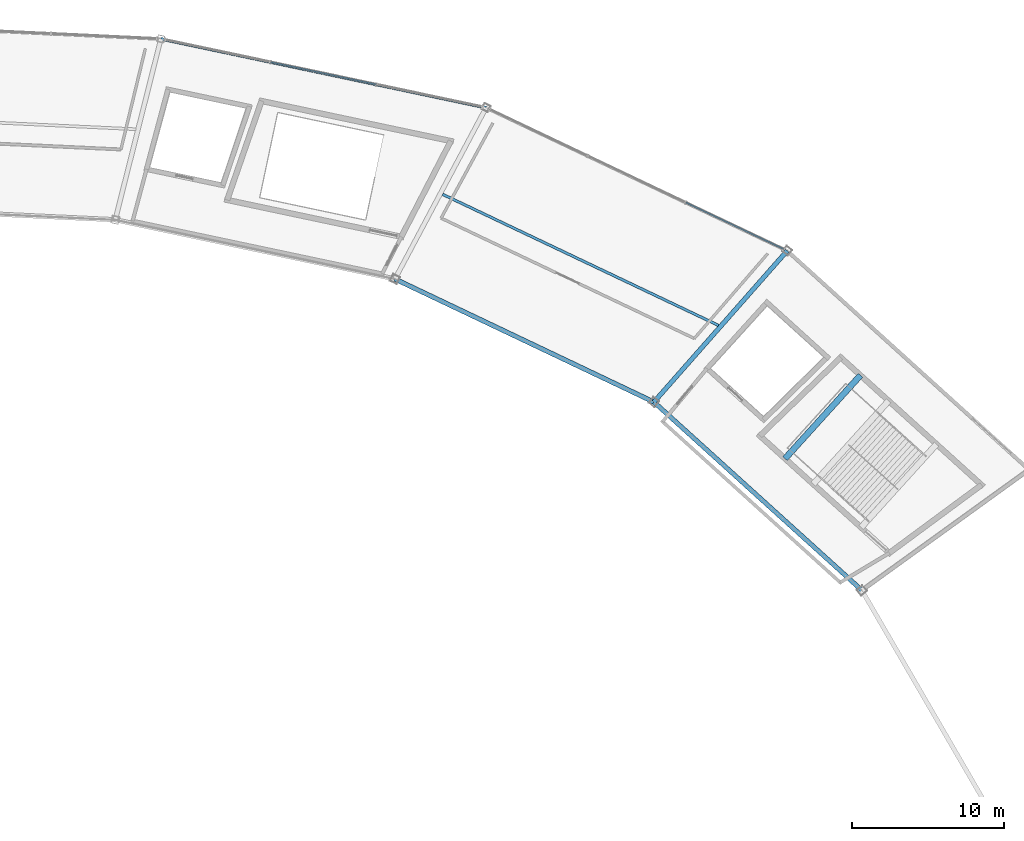
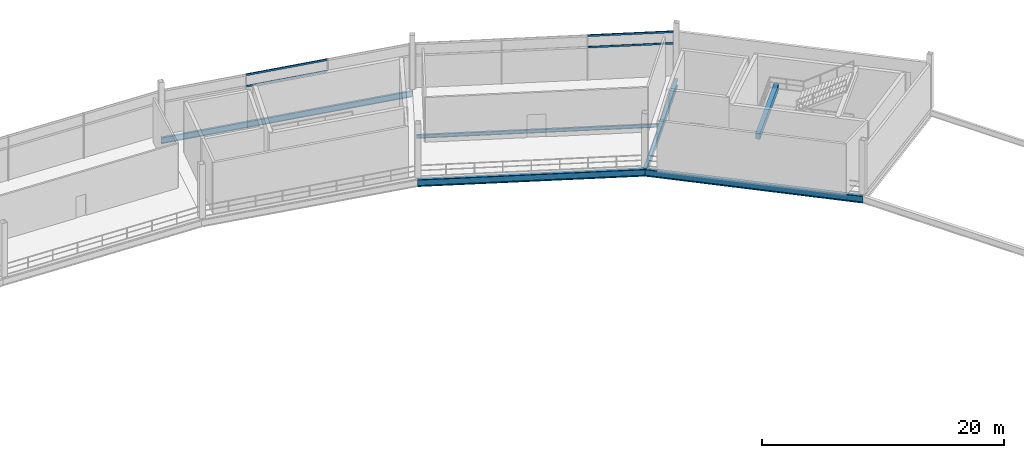
# One storey, part 63 of 103: 6 beams, 4 members, 2 elements without a shape of their own.
"""IFC4 building model written with IfcOpenShell, lengths in metres."""

from ifc_helpers import new_model, si_unit, direction, frame, origin, origin_2d, place, context, subcontext, project, spatial, rectangle, hollow_rectangle, i_section, extrude, material, layer, layer_set, material_profile, profile_set, type_object, element, aggregate, save


model = new_model("IFC4")

# Units and contexts
model_context = context("Model", 3, precision=1e-05, world=origin(), true_north=direction((0.0, 1.0)))
body_context = subcontext(model_context, "Body", "Model", "MODEL_VIEW")
ifc_project = project(units=[si_unit("LENGTHUNIT", "METRE"), si_unit("AREAUNIT", "SQUARE_METRE"), si_unit("VOLUMEUNIT", "CUBIC_METRE"), si_unit("PLANEANGLEUNIT", "RADIAN"), si_unit("MASSUNIT", "GRAM", prefix="KILO")], contexts=[model_context])

# Site, building, storey
site_placement = place(None, origin())
site = spatial("IfcSite", under=ifc_project, at=site_placement, CompositionType="ELEMENT")
building_placement = place(site_placement, origin())
building = spatial("IfcBuilding", under=site, at=building_placement, Name="Kazemori Nagisa Stadium", CompositionType="ELEMENT")
storey_placement = place(building_placement, frame((0.0, 0.0, 25.840087890625)))
storey = spatial("IfcBuildingStorey", under=building, at=storey_placement, Name="L05", CompositionType="ELEMENT", Elevation=25.840087890625)

# Beams
ifc_material_1 = material(Name="Steel SN490B", Category="steel")
ifc_material_profile_1 = material_profile(ifc_material_1, i_section(OverallWidth=0.300048828125, OverallDepth=0.699951171875, WebThickness=0.012939453125, FlangeThickness=0.02392578125, FilletRadius=0.01806640625, at=origin_2d()), Name="H-700x300x13x24")
ifc_profile_set_1 = profile_set([ifc_material_profile_1], Name="Steel SN490B")
beam_type_1 = type_object("IfcBeamType", Name="Beam_BG-H700", PredefinedType="BEAM", material=ifc_profile_set_1)
beam_1_placement = place(storey_placement, frame((190.506103515625, 150.734130859375, -0.610107421875), z_axis=(-0.741349142139, 0.671119549298, 0.0), x_axis=(-0.671119549298, -0.741349142139, 0.0)))
element("IfcBeam", 1, at=beam_1_placement, inside=storey, type_object=beam_type_1, Name="Ring girder BG-H700 L05 R2-04", PredefinedType="BEAM", context=body_context, shape_type="SweptSolid", body=[
    extrude(i_section(OverallWidth=0.300048828125, OverallDepth=0.699951171875, WebThickness=0.012939453125, FlangeThickness=0.02392578125, FilletRadius=0.01806640625, at=origin_2d()), origin(), (0.0, 0.0, 1.0), 18.44189453125),
])
beam_2_placement = place(storey_placement, frame((176.834228515625, 163.11083984375, -0.610107421875), z_axis=(-0.90321938295, 0.42917915404, 0.0), x_axis=(-0.42917915404, -0.90321938295, 0.0)))
element("IfcBeam", 2, at=beam_2_placement, inside=storey, type_object=beam_type_1, Name="Ring girder BG-H700 L05 R2-05", PredefinedType="BEAM", context=body_context, shape_type="SweptSolid", body=[
    extrude(i_section(OverallWidth=0.300048828125, OverallDepth=0.699951171875, WebThickness=0.012939453125, FlangeThickness=0.02392578125, FilletRadius=0.01806640625, at=origin_2d()), origin(), (0.0, 0.0, 1.0), 18.84619140625),
])
beam_3_placement = place(storey_placement, frame((176.834228515625, 163.11083984375, -0.610107421875), z_axis=(0.661019680997, 0.750368563664, 0.0), x_axis=(-0.750368563664, 0.661019680997, 0.0)))
element("IfcBeam", 3, at=beam_3_placement, inside=storey, type_object=beam_type_1, Name="Radial girder BG-H700 L05 R2-R3-05", PredefinedType="BEAM", context=body_context, shape_type="SweptSolid", body=[
    extrude(i_section(OverallWidth=0.300048828125, OverallDepth=0.699951171875, WebThickness=0.012939453125, FlangeThickness=0.02392578125, FilletRadius=0.01806640625, at=origin_2d()), origin(), (0.0, 0.0, 1.0), 13.2578125),
])
ifc_material_2 = material(Name="Concrete C40/50 (Fc42)", Category="concrete")
ifc_material_profile_2 = material_profile(ifc_material_2, rectangle(XDim=0.39990234375, YDim=0.60009765625, at=origin_2d()), Name="RC-BM-400x600")
ifc_profile_set_2 = profile_set([ifc_material_profile_2], Name="Concrete C40/50 (Fc42)")
beam_type_2 = type_object("IfcBeamType", Name="Beam_BG-LND400X600", PredefinedType="BEAM", material=ifc_profile_set_2)
beam_4_placement = place(storey_placement, frame((185.4541015625, 159.394775390625, 2.219970703125), z_axis=(0.671113236271, 0.74135485707, 0.0), x_axis=(-0.74135485707, 0.671113236271, 0.0)))
element("IfcBeam", 4, at=beam_4_placement, inside=storey, type_object=beam_type_2, Name="Core stair mid-landing girder ST01-L05-2", PredefinedType="BEAM", context=body_context, shape_type="SweptSolid", body=[
    extrude(rectangle(XDim=0.39990234375, YDim=0.60009765625, at=origin_2d()), origin(), (0.0, 0.0, 1.0), 7.385986328125),
])
ifc_material_profile_3 = material_profile(ifc_material_1, i_section(OverallWidth=0.175048828125, OverallDepth=0.35009765625, WebThickness=0.007080078125, FlangeThickness=0.010986328125, FilletRadius=0.012939453125, at=origin_2d()), Name="H-350x175x7x11")
ifc_profile_set_3 = profile_set([ifc_material_profile_3], Name="Steel SN490B")
beam_type_3 = type_object("IfcBeamType", Name="Beam_BJ-H350", PredefinedType="JOIST", material=ifc_profile_set_3)
beam_5_placement = place(storey_placement, frame((181.085205078125, 168.14697265625, -0.43505859375), z_axis=(-0.90321332486, 0.429191903228, 0.0), x_axis=(-0.429191903228, -0.90321332486, 0.0)))
element("IfcBeam", 5, at=beam_5_placement, inside=storey, type_object=beam_type_3, Name="Outer bay joist BJ-H350 L05 B05", PredefinedType="JOIST", context=body_context, shape_type="SweptSolid", body=[
    extrude(i_section(OverallWidth=0.175048828125, OverallDepth=0.35009765625, WebThickness=0.007080078125, FlangeThickness=0.010986328125, FilletRadius=0.012939453125, at=origin_2d()), origin(), (0.0, 0.0, 1.0), 20.09033203125),
])
ifc_material_profile_4 = material_profile(ifc_material_1, i_section(OverallWidth=0.199951171875, OverallDepth=0.60009765625, WebThickness=0.010986328125, FlangeThickness=0.01708984375, FilletRadius=0.012939453125, at=origin_2d()), Name="H-600x200x11x17")
ifc_profile_set_4 = profile_set([ifc_material_profile_4], Name="Steel SN490B")
beam_type_4 = type_object("IfcBeamType", Name="Beam_BS-H600", PredefinedType="SPANDREL", material=ifc_profile_set_4)
beam_6_placement = place(storey_placement, frame((165.8046875, 182.46435546875, -0.56005859375), z_axis=(-0.97834587432, 0.206976689994, 0.0), x_axis=(-0.206976689994, -0.97834587432, 0.0)))
element("IfcBeam", 6, at=beam_6_placement, inside=storey, type_object=beam_type_4, Name="Ring girder BS-H600 L05 R3-06", PredefinedType="SPANDREL", context=body_context, shape_type="SweptSolid", body=[
    extrude(i_section(OverallWidth=0.199951171875, OverallDepth=0.60009765625, WebThickness=0.010986328125, FlangeThickness=0.01708984375, FilletRadius=0.012939453125, at=origin_2d()), origin(), (0.0, 0.0, 1.0), 21.85009765625),
])

# Curtain wall, members
ifc_material_3 = material(Name="Anodised aluminium 6063-T5", Category="aluminium")
ifc_layer = layer(ifc_material_3, 0.239990234375, Name="Anodised aluminium 6063-T5", Category="aluminium")
ifc_layer_set = layer_set([ifc_layer], Name="Anodised aluminium 6063-T5")
curtain_wall_type = type_object("IfcCurtainWallType", Name="CW_L05R3_107", PredefinedType="USERDEFINED", material=ifc_layer_set)
curtain_wall_1_placement = place(storey_placement, origin())
curtain_wall_1 = element("IfcCurtainWall", 7, at=curtain_wall_1_placement, inside=storey, type_object=curtain_wall_type, Name="Unitised curtain wall CW-L05R3-107 L05", ObjectType="UNITISED CURTAIN WALL", PredefinedType="USERDEFINED")
ifc_material_4 = material(Name="Aluminium 6063-T5 anodised", Category="aluminium")
ifc_material_profile_5 = material_profile(ifc_material_4, hollow_rectangle(XDim=0.090087890625, YDim=0.179931640625, WallThickness=0.0048828125, at=origin_2d()), Name="ALU-TRAN-90x180x5")
ifc_profile_set_5 = profile_set([ifc_material_profile_5], Name="Aluminium 6063-T5 anodised")
member_type = type_object("IfcMemberType", Name="Transom_T03", PredefinedType="USERDEFINED", material=ifc_profile_set_5)
member_1_placement = place(storey_placement, frame((185.349609375, 173.177001953125, 3.306884765625), z_axis=(-0.903221484367, 0.429174731523, 0.0), x_axis=(-0.429174731523, -0.903221484367, 0.0)))
member_1 = element("IfcMember", 8, at=member_1_placement, type_object=member_type, Name="Curtain wall transom CW-L05R3-107-T1-mid", ObjectType="TRANSOM", PredefinedType="USERDEFINED", context=body_context, shape_type="SweptSolid", body=[
    extrude(hollow_rectangle(XDim=0.090087890625, YDim=0.179931640625, WallThickness=0.0048828125, at=origin_2d()), origin(), (0.0, 0.0, 1.0), 7.0947265625),
])
member_2_placement = place(storey_placement, frame((185.349609375, 173.177001953125, 4.4599609375), z_axis=(-0.903221484367, 0.429174731523, 0.0), x_axis=(-0.429174731523, -0.903221484367, 0.0)))
member_2 = element("IfcMember", 9, at=member_2_placement, type_object=member_type, Name="Curtain wall transom CW-L05R3-107-T1-head", ObjectType="TRANSOM", PredefinedType="USERDEFINED", context=body_context, shape_type="SweptSolid", body=[
    extrude(hollow_rectangle(XDim=0.090087890625, YDim=0.179931640625, WallThickness=0.0048828125, at=origin_2d()), origin(), (0.0, 0.0, 1.0), 7.0947265625),
])
aggregate(curtain_wall_1, [member_1, member_2])

curtain_wall_2_placement = place(storey_placement, origin())
curtain_wall_2 = element("IfcCurtainWall", 10, at=curtain_wall_2_placement, inside=storey, type_object=curtain_wall_type, Name="Unitised curtain wall CW-L05R3-107 L05", ObjectType="UNITISED CURTAIN WALL", PredefinedType="USERDEFINED")
member_3_placement = place(storey_placement, frame((158.576416015625, 183.993408203125, 3.306884765625), z_axis=(-0.978344595915, 0.206982732721, 0.0), x_axis=(-0.206982732721, -0.978344595915, 0.0)))
member_3 = element("IfcMember", 11, at=member_3_placement, type_object=member_type, Name="Curtain wall transom CW-L05R3-107-T2-mid", ObjectType="TRANSOM", PredefinedType="USERDEFINED", context=body_context, shape_type="SweptSolid", body=[
    extrude(hollow_rectangle(XDim=0.090087890625, YDim=0.179931640625, WallThickness=0.0048828125, at=origin_2d()), origin(), (0.0, 0.0, 1.0), 7.073486328125),
])
member_4_placement = place(storey_placement, frame((158.576416015625, 183.993408203125, 4.4599609375), z_axis=(-0.978344595915, 0.206982732721, 0.0), x_axis=(-0.206982732721, -0.978344595915, 0.0)))
member_4 = element("IfcMember", 12, at=member_4_placement, type_object=member_type, Name="Curtain wall transom CW-L05R3-107-T2-head", ObjectType="TRANSOM", PredefinedType="USERDEFINED", context=body_context, shape_type="SweptSolid", body=[
    extrude(hollow_rectangle(XDim=0.090087890625, YDim=0.179931640625, WallThickness=0.0048828125, at=origin_2d()), origin(), (0.0, 0.0, 1.0), 7.073486328125),
])
aggregate(curtain_wall_2, [member_3, member_4])

save(model, "model.ifc")
